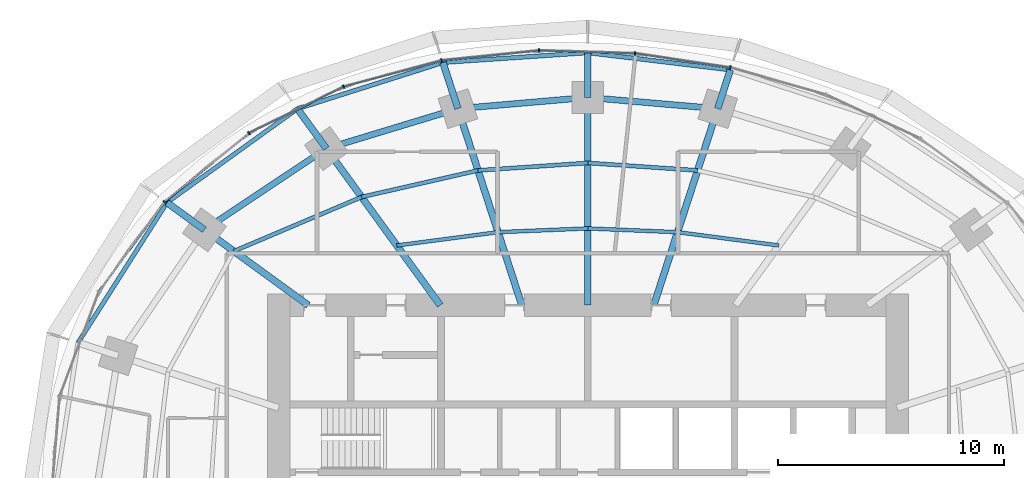
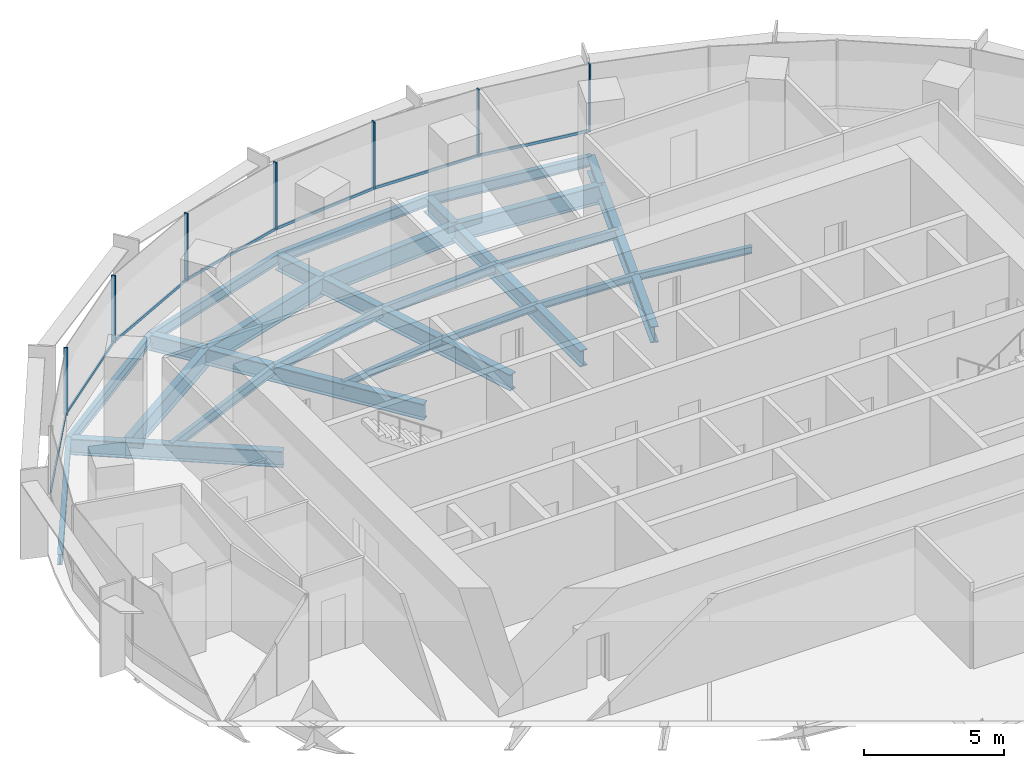
# One storey, part 7 of 14: 27 beams, 14 members, 2 elements without a shape of their own.
"""IFC4 building model written with IfcOpenShell, lengths in metres."""

import ifcopenshell
import ifcopenshell.guid

model = None  # the IFC model being written
_history = None  # IfcOwnerHistory: only IFC2X3 demands one
_inside = {}  # id of a spatial element -> (the spatial element, [elements in it])
_under = {}  # id of a project, library or spatial element -> (it, [spatial elements below it])
_declared = {}  # id of a project -> (the project, [libraries it declares])
_typed = {}  # id of a type object -> (the type object, [elements of that type])
_made_of = {}  # id of a material, layer set ... -> (it, [elements and type objects made of it])


def new_model(schema):
    """Start an empty IFC model of exactly this schema.

    Asked for "IFC4X3", IfcOpenShell would pick the latest addendum, in which some entities
    have other attributes; the version numbers below select the first issue.
    IFC2X3 requires an IfcOwnerHistory on every rooted entity: one is made here for all.
    """
    global model, _history
    if schema == "IFC4X3":
        model = ifcopenshell.file(schema_version=(4, 3, 0, 0))
    else:
        model = ifcopenshell.file(schema=schema)
    _inside.clear()
    _under.clear()
    _declared.clear()
    _typed.clear()
    _made_of.clear()
    _history = None
    if model.schema == "IFC2X3":
        org = make("IfcOrganization", Name="unknown")
        user = make(
            "IfcPersonAndOrganization",
            ThePerson=make("IfcPerson", FamilyName="unknown"),
            TheOrganization=org,
        )
        app = make(
            "IfcApplication",
            ApplicationDeveloper=org,
            Version="unknown",
            ApplicationFullName="unknown",
            ApplicationIdentifier="unknown",
        )
        _history = make(
            "IfcOwnerHistory",
            OwningUser=user,
            OwningApplication=app,
            ChangeAction="ADDED",
            CreationDate=0,
        )
    return model


def make(cls, **values):
    """One entity of the class cls with the attributes given. An attribute that is None is left unset."""
    return model.create_entity(
        cls, **{name: value for name, value in values.items() if value is not None}
    )


def rooted(cls, **values):
    """An entity with a GlobalId (a new one), such as an element, a storey or a relation."""
    return make(cls, GlobalId=ifcopenshell.guid.new(), OwnerHistory=_history, **values)


def si_unit(unit_type, name, prefix=None):
    """IfcSIUnit, for example si_unit("LENGTHUNIT", "METRE", prefix="MILLI")."""
    return make("IfcSIUnit", UnitType=unit_type, Prefix=prefix, Name=name)


def assignment(units):
    """IfcUnitAssignment: the units of a project."""
    return None if units is None else make("IfcUnitAssignment", Units=units)


def point(xyz):
    """IfcCartesianPoint."""
    return None if xyz is None else make("IfcCartesianPoint", Coordinates=xyz)


def direction(xyz):
    """IfcDirection."""
    return None if xyz is None else make("IfcDirection", DirectionRatios=xyz)


def frame(location, z_axis=None, x_axis=None):
    """IfcAxis2Placement3D, a coordinate frame: its origin and axes. An axis left out is left unset."""
    return make(
        "IfcAxis2Placement3D",
        Location=point(location),
        Axis=direction(z_axis),
        RefDirection=direction(x_axis),
    )


def frame_2d(location, x_axis=None):
    """IfcAxis2Placement2D, a coordinate frame in the plane: its origin and x axis."""
    return make(
        "IfcAxis2Placement2D", Location=point(location), RefDirection=direction(x_axis)
    )


def origin():
    """The frame at (0, 0, 0) with its axes left unset."""
    return frame((0.0, 0.0, 0.0))


def origin_2d():
    """The frame at (0, 0) in the plane with its x axis left unset."""
    return frame_2d((0.0, 0.0))


def place(relative_to, where):
    """IfcLocalPlacement: puts the frame where relative to a parent placement (None: the world)."""
    return make(
        "IfcLocalPlacement", PlacementRelTo=relative_to, RelativePlacement=where
    )


def context(
    kind, dimensions, precision=None, world=None, true_north=None, identifier=None
):
    """IfcGeometricRepresentationContext, for example the 3D "Model" context."""
    return make(
        "IfcGeometricRepresentationContext",
        ContextIdentifier=identifier,
        ContextType=kind,
        CoordinateSpaceDimension=dimensions,
        Precision=precision,
        WorldCoordinateSystem=world,
        TrueNorth=true_north,
    )


def subcontext(parent, identifier, kind, view, scale=None):
    """IfcGeometricRepresentationSubContext, for example "Body" below "Model"."""
    return make(
        "IfcGeometricRepresentationSubContext",
        ContextIdentifier=identifier,
        ContextType=kind,
        ParentContext=parent,
        TargetScale=scale,
        TargetView=view,
    )


def project(units=None, contexts=None):
    """IfcProject with its units and contexts."""
    return rooted(
        "IfcProject",
        Name="project",
        RepresentationContexts=contexts,
        UnitsInContext=assignment(units),
    )


def spatial(cls, under=None, at=None, **own):
    """A site, building, storey or space (cls), placed at a placement, below another one or the project."""
    s = rooted(cls, ObjectPlacement=at, **own)
    if under is not None:
        _under.setdefault(under.id(), (under, []))[1].append(s)
    return s


def profile(cls, at=None, kind="AREA", **sizes):
    """A parametric profile (cls). Its sizes go by their IFC names, for example OverallWidth=200.0."""
    return make(cls, ProfileType=kind, Position=at, **sizes)


def rectangle(**sizes):
    """IfcRectangleProfileDef."""
    return profile("IfcRectangleProfileDef", **sizes)


def i_section(**sizes):
    """IfcIShapeProfileDef."""
    return profile("IfcIShapeProfileDef", **sizes)


def extrude(swept, where, along, depth):
    """IfcExtrudedAreaSolid: the profile swept, set in the frame where, extruded along a direction by depth."""
    return make(
        "IfcExtrudedAreaSolid",
        SweptArea=swept,
        Position=where,
        ExtrudedDirection=direction(along),
        Depth=depth,
    )


def shape(context_of_items, identifier, shape_type, items):
    """IfcShapeRepresentation: the items that make up one representation, for example the "Body"."""
    return make(
        "IfcShapeRepresentation",
        ContextOfItems=context_of_items,
        RepresentationIdentifier=identifier,
        RepresentationType=shape_type,
        Items=items,
    )


def material(Name=None, Category=None):
    """IfcMaterial."""
    return make("IfcMaterial", Name=Name, Category=Category)


def material_profile(
    of_material, cross_section, Name=None, Category=None, Priority=None
):
    """IfcMaterialProfile: a cross section and its material."""
    return make(
        "IfcMaterialProfile",
        Name=Name,
        Material=of_material,
        Profile=cross_section,
        Priority=Priority,
        Category=Category,
    )


def profile_set(profiles, Name=None, composite=None):
    """IfcMaterialProfileSet."""
    return make(
        "IfcMaterialProfileSet",
        Name=Name,
        MaterialProfiles=profiles,
        CompositeProfile=composite,
    )


def made_of(thing, what):
    """Note that an element or type object is made of a material, layer set ...; save() writes the relation."""
    if what is not None:
        _made_of.setdefault(what.id(), (what, []))[1].append(thing)
    return thing


def type_object(cls, material=None, **own):
    """A type object (cls), such as IfcWallType, which elements share."""
    return made_of(rooted(cls, **own), material)


def element(
    cls,
    number,
    at=None,
    inside=None,
    cuts=None,
    type_object=None,
    material=None,
    context=None,
    identifier="Body",
    shape_type=None,
    held_by="IfcProductDefinitionShape",
    body=None,
    shapes=None,
    **own,
):
    """One element of the class cls, such as IfcWall. Its Tag is "e" and its number.

    at: its placement. inside: the storey or other place that contains it. cuts: it is an
    opening in that element (IfcRelVoidsElement). A single representation is given by context,
    identifier, shape_type and body (its items); several are given by shapes. held_by: the class
    of the entity that holds the representations. save() writes the other relations.
    """
    e = rooted(cls, Tag="e%d" % number, ObjectPlacement=at, **own)
    if body is not None:
        shapes = [shape(context, identifier, shape_type, body)]
    if shapes is not None:
        e.Representation = make(held_by, Representations=shapes)
    if inside is not None:
        _inside.setdefault(inside.id(), (inside, []))[1].append(e)
    if cuts is not None:
        rooted(
            "IfcRelVoidsElement", RelatingBuildingElement=cuts, RelatedOpeningElement=e
        )
    if type_object is not None:
        _typed.setdefault(type_object.id(), (type_object, []))[1].append(e)
    return made_of(e, material)


def aggregate(whole, parts):
    """IfcRelAggregates: a whole, such as a stair, and the parts it consists of."""
    return rooted("IfcRelAggregates", RelatingObject=whole, RelatedObjects=parts)


def save(model, path):
    """Write the relations noted so far, then the file.

    IfcRelAggregates (storeys below a building ...), IfcRelContainedInSpatialStructure (elements
    in a storey), IfcRelDefinesByType, IfcRelAssociatesMaterial and IfcRelDeclares: one each for
    every whole, place, type object, material and project.
    """
    for whole, parts in _under.values():
        aggregate(whole, parts)
    for where, things in _inside.values():
        rooted(
            "IfcRelContainedInSpatialStructure",
            RelatedElements=things,
            RelatingStructure=where,
        )
    for kind, things in _typed.values():
        rooted("IfcRelDefinesByType", RelatedObjects=things, RelatingType=kind)
    for what, things in _made_of.values():
        rooted("IfcRelAssociatesMaterial", RelatedObjects=things, RelatingMaterial=what)
    for by, libraries in _declared.values():
        rooted("IfcRelDeclares", RelatingContext=by, RelatedDefinitions=libraries)
    model.write(path)


model = new_model("IFC4")

# Units and contexts
model_context = context("Model", 3, precision=1e-05, world=origin(), true_north=direction((0.0, 1.0)))
body_context = subcontext(model_context, "Body", "Model", "MODEL_VIEW")
ifc_project = project(units=[si_unit("LENGTHUNIT", "METRE"), si_unit("AREAUNIT", "SQUARE_METRE"), si_unit("VOLUMEUNIT", "CUBIC_METRE"), si_unit("PLANEANGLEUNIT", "RADIAN"), si_unit("MASSUNIT", "GRAM", prefix="KILO")], contexts=[model_context])

# Site, building, storey
site_placement = place(None, origin())
site = spatial("IfcSite", under=ifc_project, at=site_placement, CompositionType="ELEMENT")
building_placement = place(site_placement, origin())
building = spatial("IfcBuilding", under=site, at=building_placement, Name="Marramba Exchange Tower", CompositionType="ELEMENT")
storey_placement = place(building_placement, frame((0.0, 0.0, 176.0)))
storey = spatial("IfcBuildingStorey", under=building, at=storey_placement, Name="L42", CompositionType="ELEMENT", Elevation=176.0)

# Beams
ifc_material_1 = material(Name="Steel AS/NZS 3679.2 grade 300", Category="steel")
ifc_material_profile_1 = material_profile(ifc_material_1, i_section(OverallWidth=0.300048828125, OverallDepth=0.699951171875, WebThickness=0.010009765625, FlangeThickness=0.031982421875, at=origin_2d()), Name="700WB173")
ifc_profile_set_1 = profile_set([ifc_material_profile_1], Name="Steel AS/NZS 3679.2 grade 300")
beam_type_1 = type_object("IfcBeamType", Name="Cantilever girder 700WB173", PredefinedType="BEAM", material=ifc_profile_set_1)
beam_1_placement = place(storey_placement, frame((5.75390625, 17.70849609375, -0.510009765625), z_axis=(0.308960771946, 0.951074782232, 0.0), x_axis=(-0.951074782232, 0.308960771946, 0.0)))
element("IfcBeam", 1, at=beam_1_placement, inside=storey, type_object=beam_type_1, Name="Cantilever girder L42 TC05", PredefinedType="BEAM", context=body_context, shape_type="SweptSolid", body=[
    extrude(i_section(OverallWidth=0.300048828125, OverallDepth=0.699951171875, WebThickness=0.010009765625, FlangeThickness=0.031982421875, at=origin_2d()), origin(), (0.0, 0.0, 1.0), 1.806396484375),
])
beam_2_placement = place(storey_placement, frame((0.0, 18.2041015625, -0.510009765625), z_axis=(0.0, 1.0, 0.0), x_axis=(-1.0, 0.0, 0.0)))
element("IfcBeam", 2, at=beam_2_placement, inside=storey, type_object=beam_type_1, Name="Cantilever girder L42 TC06", PredefinedType="BEAM", context=body_context, shape_type="SweptSolid", body=[
    extrude(i_section(OverallWidth=0.300048828125, OverallDepth=0.699951171875, WebThickness=0.010009765625, FlangeThickness=0.031982421875, at=origin_2d()), origin(), (0.0, 0.0, 1.0), 1.982177734375),
])
beam_3_placement = place(storey_placement, frame((-5.75390625, 17.70849609375, -0.510009765625), z_axis=(-0.308998798068, 0.951062428441, 0.0), x_axis=(-0.951062428441, -0.308998798068, 0.0)))
element("IfcBeam", 3, at=beam_3_placement, inside=storey, type_object=beam_type_1, Name="Cantilever girder L42 TC07", PredefinedType="BEAM", context=body_context, shape_type="SweptSolid", body=[
    extrude(i_section(OverallWidth=0.300048828125, OverallDepth=0.699951171875, WebThickness=0.010009765625, FlangeThickness=0.031982421875, at=origin_2d()), origin(), (0.0, 0.0, 1.0), 2.150634765625),
])
beam_4_placement = place(storey_placement, frame((-11.581298828125, 15.9404296875, -0.510009765625), z_axis=(-0.587832433352, 0.808982713226, 0.0), x_axis=(-0.808982713226, -0.587832433352, 0.0)))
element("IfcBeam", 4, at=beam_4_placement, inside=storey, type_object=beam_type_1, Name="Cantilever girder L42 TC08", PredefinedType="BEAM", context=body_context, shape_type="SweptSolid", body=[
    extrude(i_section(OverallWidth=0.300048828125, OverallDepth=0.699951171875, WebThickness=0.010009765625, FlangeThickness=0.031982421875, at=origin_2d()), origin(), (0.0, 0.0, 1.0), 2.1826171875),
])
beam_5_placement = place(storey_placement, frame((-16.98583984375, 12.3408203125, -0.510009765625), z_axis=(-0.808962446125, 0.587860324192, 0.0), x_axis=(-0.587860324192, -0.808962446125, 0.0)))
element("IfcBeam", 5, at=beam_5_placement, inside=storey, type_object=beam_type_1, Name="Cantilever girder L42 TC09", PredefinedType="BEAM", context=body_context, shape_type="SweptSolid", body=[
    extrude(i_section(OverallWidth=0.300048828125, OverallDepth=0.699951171875, WebThickness=0.010009765625, FlangeThickness=0.031982421875, at=origin_2d()), origin(), (0.0, 0.0, 1.0), 2.051513671875),
])
ifc_material_2 = material(Name="Steel AS/NZS 3679.1 grade 300", Category="steel")
ifc_material_profile_2 = material_profile(ifc_material_2, i_section(OverallWidth=0.166015625, OverallDepth=0.306884765625, WebThickness=0.006591796875, FlangeThickness=0.01171875, FilletRadius=0.011474609375, at=origin_2d()), Name="310UB46.2")
ifc_profile_set_2 = profile_set([ifc_material_profile_2], Name="Steel AS/NZS 3679.1 grade 300")
beam_type_2 = type_object("IfcBeamType", Name="Floor joist 310UB46.2", PredefinedType="JOIST", material=ifc_profile_set_2)
beam_6_placement = place(storey_placement, frame((8.4619140625, 11.646728515625, -0.3134765625), z_axis=(-0.991480538255, 0.130254912618, 0.0), x_axis=(-0.130254912618, -0.991480538255, 0.0)))
element("IfcBeam", 6, at=beam_6_placement, inside=storey, type_object=beam_type_2, Name="Joist L42 bay 04 row 1", PredefinedType="JOIST", context=body_context, shape_type="SweptSolid", body=[
    extrude(i_section(OverallWidth=0.166015625, OverallDepth=0.306884765625, WebThickness=0.006591796875, FlangeThickness=0.01171875, FilletRadius=0.011474609375, at=origin_2d()), origin(), (0.0, 0.0, 1.0), 4.524658203125),
])
for number, where, z_axis, x_axis, name in (
    (7, (3.975830078125, 12.236083984375, -0.3134765625), (-0.999137002892, 0.041536122257, 0.0), (-0.041536122257, -0.999137002892, 0.0), "Joist L42 bay 05 row 1"),
    (8, (0.0, 12.4013671875, -0.3134765625), (-0.999137002892, -0.041536122257, 0.0), (0.041536122257, -0.999137002892, 0.0), "Joist L42 bay 06 row 1"),
):
    element("IfcBeam", number, at=place(storey_placement, frame(where, z_axis=z_axis, x_axis=x_axis)), inside=storey, type_object=beam_type_2, Name=name, PredefinedType="JOIST", context=body_context, shape_type="SweptSolid", body=[
        extrude(i_section(OverallWidth=0.166015625, OverallDepth=0.306884765625, WebThickness=0.006591796875, FlangeThickness=0.01171875, FilletRadius=0.011474609375, at=origin_2d()), origin(), (0.0, 0.0, 1.0), 3.979248046875),
    ])
beam_7_placement = place(storey_placement, frame((-3.975830078125, 12.236083984375, -0.3134765625), z_axis=(-0.991480538255, -0.130254912618, 0.0), x_axis=(0.130254912618, -0.991480538255, 0.0)))
element("IfcBeam", 9, at=beam_7_placement, inside=storey, type_object=beam_type_2, Name="Joist L42 bay 07 row 1", PredefinedType="JOIST", context=body_context, shape_type="SweptSolid", body=[
    extrude(i_section(OverallWidth=0.166015625, OverallDepth=0.306884765625, WebThickness=0.006591796875, FlangeThickness=0.01171875, FilletRadius=0.011474609375, at=origin_2d()), origin(), (0.0, 0.0, 1.0), 4.524658203125),
])
ifc_material_profile_3 = material_profile(ifc_material_2, i_section(OverallWidth=0.177978515625, OverallDepth=0.406005859375, WebThickness=0.0078125, FlangeThickness=0.0126953125, FilletRadius=0.011474609375, at=origin_2d()), Name="410UB59.7")
ifc_profile_set_3 = profile_set([ifc_material_profile_3], Name="Steel AS/NZS 3679.1 grade 300")
beam_type_3 = type_object("IfcBeamType", Name="Floor joist 410UB59.7", PredefinedType="JOIST", material=ifc_profile_set_3)
for number, where, z_axis, x_axis, name in (
    (10, (4.86474609375, 14.972412109375, -0.363037109375), (-0.997702652202, 0.067745241816, 0.0), (-0.067745241816, -0.997702652202, 0.0), "Joist L42 bay 05 row 2"),
    (11, (0.0, 15.302734375, -0.363037109375), (-0.997702652202, -0.067745241816, 0.0), (0.067745241816, -0.997702652202, 0.0), "Joist L42 bay 06 row 2"),
):
    element("IfcBeam", number, at=place(storey_placement, frame(where, z_axis=z_axis, x_axis=x_axis)), inside=storey, type_object=beam_type_3, Name=name, PredefinedType="JOIST", context=body_context, shape_type="SweptSolid", body=[
        extrude(i_section(OverallWidth=0.177978515625, OverallDepth=0.406005859375, WebThickness=0.0078125, FlangeThickness=0.0126953125, FilletRadius=0.011474609375, at=origin_2d()), origin(), (0.0, 0.0, 1.0), 4.8759765625),
    ])
beam_8_placement = place(storey_placement, frame((-4.86474609375, 14.972412109375, -0.363037109375), z_axis=(-0.974859652292, -0.222819788916, 0.0), x_axis=(0.222819788916, -0.974859652292, 0.0)))
element("IfcBeam", 12, at=beam_8_placement, inside=storey, type_object=beam_type_3, Name="Joist L42 bay 07 row 2", PredefinedType="JOIST", context=body_context, shape_type="SweptSolid", body=[
    extrude(i_section(OverallWidth=0.177978515625, OverallDepth=0.406005859375, WebThickness=0.0078125, FlangeThickness=0.0126953125, FilletRadius=0.011474609375, at=origin_2d()), origin(), (0.0, 0.0, 1.0), 5.2900390625),
])
beam_9_placement = place(storey_placement, frame((-10.021728515625, 13.793701171875, -0.363037109375), z_axis=(-0.920674336375, -0.390331610738, 0.0), x_axis=(0.390331610738, -0.920674336375, 0.0)))
element("IfcBeam", 13, at=beam_9_placement, inside=storey, type_object=beam_type_3, Name="Joist L42 bay 08 row 2", PredefinedType="JOIST", context=body_context, shape_type="SweptSolid", body=[
    extrude(i_section(OverallWidth=0.177978515625, OverallDepth=0.406005859375, WebThickness=0.0078125, FlangeThickness=0.0126953125, FilletRadius=0.011474609375, at=origin_2d()), origin(), (0.0, 0.0, 1.0), 6.1484375),
])

# Curtain wall, members
ifc_material_3 = material(Name="Aluminium framing, bronze anodised", Category="aluminium")
curtain_wall_type = type_object("IfcCurtainWallType", Name="Office ribbon curtain wall", PredefinedType="USERDEFINED", material=ifc_material_3)
curtain_wall_1_placement = place(storey_placement, origin())
curtain_wall_1 = element("IfcCurtainWall", 14, at=curtain_wall_1_placement, inside=storey, type_object=curtain_wall_type, Name="Curtain wall CW4 L42 F06-F10", ObjectType="RIBBON CURTAIN WALL", PredefinedType="USERDEFINED")
ifc_material_4 = material(Name="Aluminium mullion, bronze anodised", Category="aluminium")
ifc_material_profile_4 = material_profile(ifc_material_4, rectangle(XDim=0.159912109375, YDim=0.06005859375, at=origin_2d()), Name="CW4 mullion 60x160")
ifc_profile_set_4 = profile_set([ifc_material_profile_4], Name="Aluminium mullion, bronze anodised")
member_type_1 = type_object("IfcMemberType", Name="Office ribbon curtain wall mullion", PredefinedType="MULLION", material=ifc_profile_set_4)
member_1_placement = place(storey_placement, frame((6.313232421875, 19.526123046875, 0.800048828125), z_axis=(0.0, 0.0, 1.0), x_axis=(-0.148794988635, -0.988868065698, 0.0)))
member_1 = element("IfcMember", 15, at=member_1_placement, type_object=member_type_1, Name="CW4 mullion 1", PredefinedType="MULLION", context=body_context, shape_type="SweptSolid", body=[
    extrude(rectangle(XDim=0.159912109375, YDim=0.06005859375, at=origin_2d()), origin(), (0.0, 0.0, 1.0), 2.93994140625),
])
member_2_placement = place(storey_placement, frame((2.088623046875, 20.158203125, 0.800048828125), z_axis=(0.0, 0.0, 1.0), x_axis=(-0.03039385249, -0.999538000143, 0.0)))
member_2 = element("IfcMember", 16, at=member_2_placement, type_object=member_type_1, Name="CW4 mullion 1", PredefinedType="MULLION", context=body_context, shape_type="SweptSolid", body=[
    extrude(rectangle(XDim=0.159912109375, YDim=0.06005859375, at=origin_2d()), origin(), (0.0, 0.0, 1.0), 2.93994140625),
])
member_3_placement = place(storey_placement, frame((-2.162109375, 20.28369140625, 0.800048828125), z_axis=(0.0, 0.0, 1.0), x_axis=(0.100862673507, -0.994900357369, 0.0)))
member_3 = element("IfcMember", 17, at=member_3_placement, type_object=member_type_1, Name="CW4 mullion 1", PredefinedType="MULLION", context=body_context, shape_type="SweptSolid", body=[
    extrude(rectangle(XDim=0.159912109375, YDim=0.06005859375, at=origin_2d()), origin(), (0.0, 0.0, 1.0), 2.93994140625),
])
member_4_placement = place(storey_placement, frame((-6.478271484375, 19.84130859375, 0.800048828125), z_axis=(0.0, 0.0, 1.0), x_axis=(0.257641223778, -0.966240653155, 0.0)))
member_4 = element("IfcMember", 18, at=member_4_placement, type_object=member_type_1, Name="CW4 mullion 1", PredefinedType="MULLION", context=body_context, shape_type="SweptSolid", body=[
    extrude(rectangle(XDim=0.159912109375, YDim=0.06005859375, at=origin_2d()), origin(), (0.0, 0.0, 1.0), 2.93994140625),
])

curtain_wall_2_placement = place(storey_placement, origin())
curtain_wall_2 = element("IfcCurtainWall", 19, at=curtain_wall_2_placement, inside=storey, type_object=curtain_wall_type, Name="Curtain wall CW4 L42 F11-F15", ObjectType="RIBBON CURTAIN WALL", PredefinedType="USERDEFINED")
member_5_placement = place(storey_placement, frame((-10.818359375, 18.677978515625, 0.800048828125), z_axis=(0.0, 0.0, 1.0), x_axis=(0.438972456661, -0.898500518805, 0.0)))
member_5 = element("IfcMember", 20, at=member_5_placement, type_object=member_type_1, Name="CW4 mullion 1", PredefinedType="MULLION", context=body_context, shape_type="SweptSolid", body=[
    extrude(rectangle(XDim=0.159912109375, YDim=0.06005859375, at=origin_2d()), origin(), (0.0, 0.0, 1.0), 2.93994140625),
])
member_6_placement = place(storey_placement, frame((-15.008056640625, 16.62353515625, 0.800048828125), z_axis=(0.0, 0.0, 1.0), x_axis=(0.630200830464, -0.776432169145, 0.0)))
member_6 = element("IfcMember", 21, at=member_6_placement, type_object=member_type_1, Name="CW4 mullion 1", PredefinedType="MULLION", context=body_context, shape_type="SweptSolid", body=[
    extrude(rectangle(XDim=0.159912109375, YDim=0.06005859375, at=origin_2d()), origin(), (0.0, 0.0, 1.0), 2.93994140625),
])
member_7_placement = place(storey_placement, frame((-18.744140625, 13.581298828125, 0.800048828125), z_axis=(0.0, 0.0, 1.0), x_axis=(0.805965197024, -0.591962922138, 0.0)))
member_7 = element("IfcMember", 22, at=member_7_placement, type_object=member_type_1, Name="CW4 mullion 1", PredefinedType="MULLION", context=body_context, shape_type="SweptSolid", body=[
    extrude(rectangle(XDim=0.159912109375, YDim=0.06005859375, at=origin_2d()), origin(), (0.0, 0.0, 1.0), 2.93994140625),
])

# Member
ifc_material_5 = material(Name="Aluminium transom, bronze anodised", Category="aluminium")
ifc_material_profile_5 = material_profile(ifc_material_5, rectangle(XDim=0.06005859375, YDim=0.1201171875, at=origin_2d()), Name="CW4 transom 60x120")
ifc_profile_set_5 = profile_set([ifc_material_profile_5], Name="Aluminium transom, bronze anodised")
member_type_2 = type_object("IfcMemberType", Name="Office ribbon curtain wall transom", PredefinedType="USERDEFINED", material=ifc_profile_set_5)
member_8_placement = place(storey_placement, frame((6.28369140625, 19.53076171875, 0.830078125), z_axis=(-0.988868222508, 0.148793946493, 0.0), x_axis=(-0.148793946493, -0.988868222508, 0.0)))
member_8 = element("IfcMember", 23, at=member_8_placement, type_object=member_type_2, Name="CW4 sill transom", ObjectType="TRANSOM", PredefinedType="USERDEFINED", context=body_context, shape_type="SweptSolid", body=[
    extrude(rectangle(XDim=0.06005859375, YDim=0.1201171875, at=origin_2d()), origin(), (0.0, 0.0, 1.0), 4.2119140625),
])

member_9_placement = place(storey_placement, frame((2.05859375, 20.1591796875, 0.830078125), z_axis=(-0.99953796835, 0.030394898024, 0.0), x_axis=(-0.030394898024, -0.99953796835, 0.0)))
member_9 = element("IfcMember", 24, at=member_9_placement, type_object=member_type_2, Name="CW4 sill transom", ObjectType="TRANSOM", PredefinedType="USERDEFINED", context=body_context, shape_type="SweptSolid", body=[
    extrude(rectangle(XDim=0.06005859375, YDim=0.1201171875, at=origin_2d()), origin(), (0.0, 0.0, 1.0), 4.19287109375),
])

member_10_placement = place(storey_placement, frame((-2.19189453125, 20.280517578125, 0.830078125), z_axis=(-0.99489954864, -0.100870650418, 0.0), x_axis=(0.100870650418, -0.99489954864, 0.0)))
member_10 = element("IfcMember", 25, at=member_10_placement, type_object=member_type_2, Name="CW4 sill transom", ObjectType="TRANSOM", PredefinedType="USERDEFINED", context=body_context, shape_type="SweptSolid", body=[
    extrude(rectangle(XDim=0.06005859375, YDim=0.1201171875, at=origin_2d()), origin(), (0.0, 0.0, 1.0), 4.279052734375),
])

member_11_placement = place(storey_placement, frame((-6.50732421875, 19.83349609375, 0.830078125), z_axis=(-0.966237681407, -0.25765236857, 0.0), x_axis=(0.25765236857, -0.966237681407, 0.0)))
member_11 = element("IfcMember", 26, at=member_11_placement, type_object=member_type_2, Name="CW4 sill transom", ObjectType="TRANSOM", PredefinedType="USERDEFINED", context=body_context, shape_type="SweptSolid", body=[
    extrude(rectangle(XDim=0.06005859375, YDim=0.1201171875, at=origin_2d()), origin(), (0.0, 0.0, 1.0), 4.43359375),
])

aggregate(curtain_wall_1, [member_1, member_8, member_2, member_9, member_3, member_10, member_4, member_11])

member_12_placement = place(storey_placement, frame((-10.84521484375, 18.664794921875, 0.830078125), z_axis=(-0.898501418486, -0.438970615165, 0.0), x_axis=(0.438970615165, -0.898501418486, 0.0)))
member_12 = element("IfcMember", 27, at=member_12_placement, type_object=member_type_2, Name="CW4 sill transom", ObjectType="TRANSOM", PredefinedType="USERDEFINED", context=body_context, shape_type="SweptSolid", body=[
    extrude(rectangle(XDim=0.06005859375, YDim=0.1201171875, at=origin_2d()), origin(), (0.0, 0.0, 1.0), 4.607177734375),
])

member_13_placement = place(storey_placement, frame((-15.031494140625, 16.6044921875, 0.830078125), z_axis=(-0.776424623019, -0.630210127473, 0.0), x_axis=(0.630210127473, -0.776424623019, 0.0)))
member_13 = element("IfcMember", 28, at=member_13_placement, type_object=member_type_2, Name="CW4 sill transom", ObjectType="TRANSOM", PredefinedType="USERDEFINED", context=body_context, shape_type="SweptSolid", body=[
    extrude(rectangle(XDim=0.06005859375, YDim=0.1201171875, at=origin_2d()), origin(), (0.0, 0.0, 1.0), 4.7587890625),
])

member_14_placement = place(storey_placement, frame((-18.761962890625, 13.55712890625, 0.830078125), z_axis=(-0.591957380483, -0.805969267213, 0.0), x_axis=(0.805969267213, -0.591957380483, 0.0)))
member_14 = element("IfcMember", 29, at=member_14_placement, type_object=member_type_2, Name="CW4 sill transom", ObjectType="TRANSOM", PredefinedType="USERDEFINED", context=body_context, shape_type="SweptSolid", body=[
    extrude(rectangle(XDim=0.06005859375, YDim=0.1201171875, at=origin_2d()), origin(), (0.0, 0.0, 1.0), 4.865478515625),
])

aggregate(curtain_wall_2, [member_5, member_12, member_6, member_13, member_7, member_14])

# Beams
ifc_material_profile_6 = material_profile(ifc_material_1, i_section(OverallWidth=0.300048828125, OverallDepth=0.699951171875, WebThickness=0.010009765625, FlangeThickness=0.031982421875, at=origin_2d()), Name="700WB173")
ifc_profile_set_6 = profile_set([ifc_material_profile_6], Name="Steel AS/NZS 3679.2 grade 300")
beam_type_4 = type_object("IfcBeamType", Name="Radial girder 700WB173", PredefinedType="BEAM", material=ifc_profile_set_6)
beam_10_placement = place(storey_placement, frame((2.92431640625, 9.0, -0.510009765625), z_axis=(0.309019754162, 0.951055619582, 0.0), x_axis=(-0.951055619582, 0.309019754162, 0.0)))
element("IfcBeam", 30, at=beam_10_placement, inside=storey, type_object=beam_type_4, Name="Radial girder L42 TC05", PredefinedType="BEAM", context=body_context, shape_type="SweptSolid", body=[
    extrude(i_section(OverallWidth=0.300048828125, OverallDepth=0.699951171875, WebThickness=0.010009765625, FlangeThickness=0.031982421875, at=origin_2d()), origin(), (0.0, 0.0, 1.0), 9.15673828125),
])
beam_11_placement = place(storey_placement, frame((0.0, 9.0, -0.510009765625), z_axis=(0.0, 1.0, 0.0), x_axis=(-1.0, 0.0, 0.0)))
element("IfcBeam", 31, at=beam_11_placement, inside=storey, type_object=beam_type_4, Name="Radial girder L42 TC06", PredefinedType="BEAM", context=body_context, shape_type="SweptSolid", body=[
    extrude(i_section(OverallWidth=0.300048828125, OverallDepth=0.699951171875, WebThickness=0.010009765625, FlangeThickness=0.031982421875, at=origin_2d()), origin(), (0.0, 0.0, 1.0), 9.2041015625),
])
beam_12_placement = place(storey_placement, frame((-2.92431640625, 9.0, -0.510009765625), z_axis=(-0.309019754162, 0.951055619582, 0.0), x_axis=(-0.951055619582, -0.309019754162, 0.0)))
element("IfcBeam", 32, at=beam_12_placement, inside=storey, type_object=beam_type_4, Name="Radial girder L42 TC07", PredefinedType="BEAM", context=body_context, shape_type="SweptSolid", body=[
    extrude(i_section(OverallWidth=0.300048828125, OverallDepth=0.699951171875, WebThickness=0.010009765625, FlangeThickness=0.031982421875, at=origin_2d()), origin(), (0.0, 0.0, 1.0), 9.15673828125),
])
beam_13_placement = place(storey_placement, frame((-6.538818359375, 9.0, -0.510009765625), z_axis=(-0.587782439969, 0.80901903764, 0.0), x_axis=(-0.80901903764, -0.587782439969, 0.0)))
element("IfcBeam", 33, at=beam_13_placement, inside=storey, type_object=beam_type_4, Name="Radial girder L42 TC08", PredefinedType="BEAM", context=body_context, shape_type="SweptSolid", body=[
    extrude(i_section(OverallWidth=0.300048828125, OverallDepth=0.699951171875, WebThickness=0.010009765625, FlangeThickness=0.031982421875, at=origin_2d()), origin(), (0.0, 0.0, 1.0), 8.578857421875),
])
beam_14_placement = place(storey_placement, frame((-12.387451171875, 9.0, -0.510009765625), z_axis=(-0.809025746925, 0.587773205252, 0.0), x_axis=(-0.587773205252, -0.809025746925, 0.0)))
element("IfcBeam", 34, at=beam_14_placement, inside=storey, type_object=beam_type_4, Name="Radial girder L42 TC09", PredefinedType="BEAM", context=body_context, shape_type="SweptSolid", body=[
    extrude(i_section(OverallWidth=0.300048828125, OverallDepth=0.699951171875, WebThickness=0.010009765625, FlangeThickness=0.031982421875, at=origin_2d()), origin(), (0.0, 0.0, 1.0), 5.683837890625),
])
ifc_material_profile_7 = material_profile(ifc_material_1, i_section(OverallWidth=0.27490234375, OverallDepth=0.800048828125, WebThickness=0.010009765625, FlangeThickness=0.02490234375, at=origin_2d()), Name="800WB168")
ifc_profile_set_7 = profile_set([ifc_material_profile_7], Name="Steel AS/NZS 3679.2 grade 300")
beam_type_5 = type_object("IfcBeamType", Name="Ring beam 800WB168", PredefinedType="SPANDREL", material=ifc_profile_set_7)
for number, where, z_axis, x_axis, name in (
    (35, (5.75390625, 17.70849609375, -0.56005859375), (-0.996311003275, 0.085815993578, 0.0), (-0.085815993578, -0.996311003275, 0.0), "Ring beam L42 TC05-TC06"),
    (36, (0.0, 18.2041015625, -0.56005859375), (-0.996311003275, -0.085815993578, 0.0), (0.085815993578, -0.996311003275, 0.0), "Ring beam L42 TC06-TC07"),
):
    element("IfcBeam", number, at=place(storey_placement, frame(where, z_axis=z_axis, x_axis=x_axis)), inside=storey, type_object=beam_type_5, Name=name, PredefinedType="SPANDREL", context=body_context, shape_type="SweptSolid", body=[
        extrude(i_section(OverallWidth=0.27490234375, OverallDepth=0.800048828125, WebThickness=0.010009765625, FlangeThickness=0.02490234375, at=origin_2d()), origin(), (0.0, 0.0, 1.0), 5.775146484375),
    ])
beam_15_placement = place(storey_placement, frame((-5.75390625, 17.70849609375, -0.56005859375), z_axis=(-0.956924542524, -0.290336735387, 0.0), x_axis=(0.290336735387, -0.956924542524, 0.0)))
element("IfcBeam", 37, at=beam_15_placement, inside=storey, type_object=beam_type_5, Name="Ring beam L42 TC07-TC08", PredefinedType="SPANDREL", context=body_context, shape_type="SweptSolid", body=[
    extrude(i_section(OverallWidth=0.27490234375, OverallDepth=0.800048828125, WebThickness=0.010009765625, FlangeThickness=0.02490234375, at=origin_2d()), origin(), (0.0, 0.0, 1.0), 6.089599609375),
])
beam_16_placement = place(storey_placement, frame((-11.581298828125, 15.9404296875, -0.56005859375), z_axis=(-0.832293151443, -0.554335737673, 0.0), x_axis=(0.554335737673, -0.832293151443, 0.0)))
element("IfcBeam", 38, at=beam_16_placement, inside=storey, type_object=beam_type_5, Name="Ring beam L42 TC08-TC09", PredefinedType="SPANDREL", context=body_context, shape_type="SweptSolid", body=[
    extrude(i_section(OverallWidth=0.27490234375, OverallDepth=0.800048828125, WebThickness=0.010009765625, FlangeThickness=0.02490234375, at=origin_2d()), origin(), (0.0, 0.0, 1.0), 6.49365234375),
])
ifc_material_profile_8 = material_profile(ifc_material_2, i_section(OverallWidth=0.19091796875, OverallDepth=0.4599609375, WebThickness=0.010009765625, FlangeThickness=0.01611328125, FilletRadius=0.011474609375, at=origin_2d()), Name="460UB82.1")
ifc_profile_set_8 = profile_set([ifc_material_profile_8], Name="Steel AS/NZS 3679.1 grade 300")
beam_type_6 = type_object("IfcBeamType", Name="Slab edge beam 460UB82.1", PredefinedType="SPANDREL", material=ifc_profile_set_8)
beam_17_placement = place(storey_placement, frame((6.31201171875, 19.426513671875, -0.389892578125), z_axis=(-0.992833525914, 0.119505605811, 0.0), x_axis=(-0.119505605811, -0.992833525914, 0.0)))
element("IfcBeam", 39, at=beam_17_placement, inside=storey, type_object=beam_type_6, Name="Slab edge beam L42 TC05-TC06", PredefinedType="SPANDREL", context=body_context, shape_type="SweptSolid", body=[
    extrude(i_section(OverallWidth=0.19091796875, OverallDepth=0.4599609375, WebThickness=0.010009765625, FlangeThickness=0.01611328125, FilletRadius=0.011474609375, at=origin_2d()), origin(), (0.0, 0.0, 1.0), 6.357666015625),
])
beam_18_placement = place(storey_placement, frame((0.0, 20.186279296875, -0.389892578125), z_axis=(-0.997738737775, -0.06721168903, 0.0), x_axis=(0.06721168903, -0.997738737775, 0.0)))
element("IfcBeam", 40, at=beam_18_placement, inside=storey, type_object=beam_type_6, Name="Slab edge beam L42 TC06-TC07", PredefinedType="SPANDREL", context=body_context, shape_type="SweptSolid", body=[
    extrude(i_section(OverallWidth=0.19091796875, OverallDepth=0.4599609375, WebThickness=0.010009765625, FlangeThickness=0.01611328125, FilletRadius=0.011474609375, at=origin_2d()), origin(), (0.0, 0.0, 1.0), 6.43310546875),
])
beam_19_placement = place(storey_placement, frame((-6.41845703125, 19.75390625, -0.389892578125), z_axis=(-0.953057484675, -0.302789416766, 0.0), x_axis=(0.302789416766, -0.953057484675, 0.0)))
element("IfcBeam", 41, at=beam_19_placement, inside=storey, type_object=beam_type_6, Name="Slab edge beam L42 TC07-TC08", PredefinedType="SPANDREL", context=body_context, shape_type="SweptSolid", body=[
    extrude(i_section(OverallWidth=0.19091796875, OverallDepth=0.4599609375, WebThickness=0.010009765625, FlangeThickness=0.01611328125, FilletRadius=0.011474609375, at=origin_2d()), origin(), (0.0, 0.0, 1.0), 6.76318359375),
])
beam_20_placement = place(storey_placement, frame((-12.8642578125, 17.7060546875, -0.389892578125), z_axis=(-0.811755352788, -0.583997643163, 0.0), x_axis=(0.583997643163, -0.811755352788, 0.0)))
element("IfcBeam", 42, at=beam_20_placement, inside=storey, type_object=beam_type_6, Name="Slab edge beam L42 TC08-TC09", PredefinedType="SPANDREL", context=body_context, shape_type="SweptSolid", body=[
    extrude(i_section(OverallWidth=0.19091796875, OverallDepth=0.4599609375, WebThickness=0.010009765625, FlangeThickness=0.01611328125, FilletRadius=0.011474609375, at=origin_2d()), origin(), (0.0, 0.0, 1.0), 7.121826171875),
])
beam_21_placement = place(storey_placement, frame((-18.6455078125, 13.546875, -0.389892578125), z_axis=(-0.535794396634, -0.844348485245, 0.0), x_axis=(0.844348485245, -0.535794396634, 0.0)))
element("IfcBeam", 43, at=beam_21_placement, inside=storey, type_object=beam_type_6, Name="Slab edge beam L42 TC09-TC10", PredefinedType="SPANDREL", context=body_context, shape_type="SweptSolid", body=[
    extrude(i_section(OverallWidth=0.19091796875, OverallDepth=0.4599609375, WebThickness=0.010009765625, FlangeThickness=0.01611328125, FilletRadius=0.011474609375, at=origin_2d()), origin(), (0.0, 0.0, 1.0), 7.35302734375),
])

save(model, "model.ifc")
